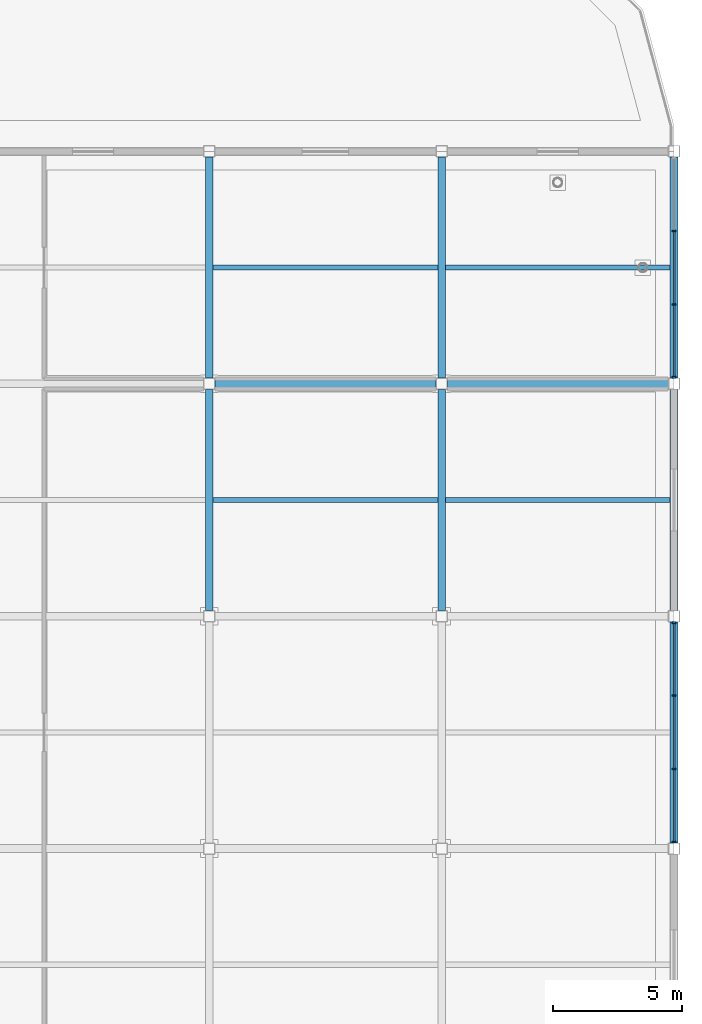
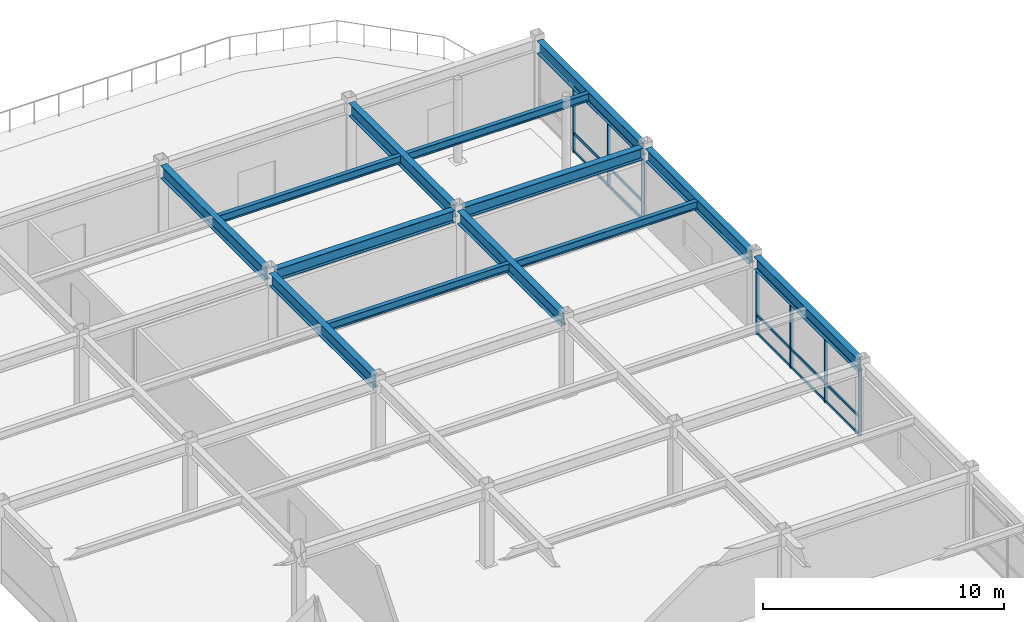
# One storey, part 60 of 108: 22 members, 13 beams, 2 elements without a shape of their own.
"""IFC4 building model written with IfcOpenShell, lengths in metres."""

from ifc_helpers import new_model, si_unit, direction, frame, origin, origin_2d, place, context, subcontext, project, spatial, rectangle, i_section, extrude, material, material_profile, profile_set, type_object, element, aggregate, save


model = new_model("IFC4")

# Units and contexts
model_context = context("Model", 3, precision=1e-05, world=origin(), true_north=direction((0.0, 1.0)))
body_context = subcontext(model_context, "Body", "Model", "MODEL_VIEW")
ifc_project = project(units=[si_unit("LENGTHUNIT", "METRE"), si_unit("AREAUNIT", "SQUARE_METRE"), si_unit("VOLUMEUNIT", "CUBIC_METRE"), si_unit("PLANEANGLEUNIT", "RADIAN"), si_unit("MASSUNIT", "GRAM", prefix="KILO")], contexts=[model_context])

# Site, building, storey
site_placement = place(None, origin())
site = spatial("IfcSite", under=ifc_project, at=site_placement, CompositionType="ELEMENT")
building_placement = place(site_placement, origin())
building = spatial("IfcBuilding", under=site, at=building_placement, Name="Suzunagisa Mobility Hub", CompositionType="ELEMENT")
storey_placement = place(building_placement, frame((0.0, 0.0, 9.300048828125)))
storey = spatial("IfcBuildingStorey", under=building, at=storey_placement, Name="L02", CompositionType="ELEMENT", Elevation=9.300048828125)

# Curtain wall, members
ifc_material_1 = material(Name="Thermally Broken Anodized Aluminum and Low-E Glazing", Category="aluminium")
curtain_wall_type = type_object("IfcCurtainWallType", Name="Unitised Curtain Wall CW-43 8500x3300", PredefinedType="USERDEFINED", material=ifc_material_1)
curtain_wall_1_placement = place(storey_placement, origin())
curtain_wall_1 = element("IfcCurtainWall", 1, at=curtain_wall_1_placement, inside=storey, type_object=curtain_wall_type, Name="L02 Unitised Curtain Wall CW-199", ObjectType="UNITISED CURTAIN WALL", PredefinedType="USERDEFINED")
ifc_material_2 = material(Name="Anodized Aluminum 6063-T6", Category="aluminium")
ifc_material_profile_1 = material_profile(ifc_material_2, rectangle(XDim=0.06494140625, YDim=0.139892578125, at=origin_2d()), Name="TRAN-65x140")
ifc_profile_set_1 = profile_set([ifc_material_profile_1], Name="Anodized Aluminum 6063-T6")
member_type_1 = type_object("IfcMemberType", Name="Curtain Wall Framing CM-01 TRAN-65x140", PredefinedType="USERDEFINED", material=ifc_profile_set_1)
member_1_placement = place(storey_placement, frame((180.0, 71.282958984375, 0.032470703125), z_axis=(0.0, 1.0, 0.0), x_axis=(-1.0, 0.0, 0.0)))
member_1 = element("IfcMember", 2, at=member_1_placement, type_object=member_type_1, Name="Curtain Wall Transom 199-T1.1", ObjectType="TRANSOM", PredefinedType="USERDEFINED", context=body_context, shape_type="SweptSolid", body=[
    extrude(rectangle(XDim=0.06494140625, YDim=0.139892578125, at=origin_2d()), origin(), (0.0, 0.0, 1.0), 2.76416015625),
])
member_2_placement = place(storey_placement, frame((180.0, 71.282958984375, 0.949951171875), z_axis=(0.0, 1.0, 0.0), x_axis=(-1.0, 0.0, 0.0)))
member_2 = element("IfcMember", 3, at=member_2_placement, type_object=member_type_1, Name="Curtain Wall Transom 199-T1.2", ObjectType="TRANSOM", PredefinedType="USERDEFINED", context=body_context, shape_type="SweptSolid", body=[
    extrude(rectangle(XDim=0.06494140625, YDim=0.139892578125, at=origin_2d()), origin(), (0.0, 0.0, 1.0), 2.76416015625),
])
member_3_placement = place(storey_placement, frame((180.0, 71.282958984375, 3.267333984375), z_axis=(0.0, 1.0, 0.0), x_axis=(-1.0, 0.0, 0.0)))
member_3 = element("IfcMember", 4, at=member_3_placement, type_object=member_type_1, Name="Curtain Wall Transom 199-T1.3", ObjectType="TRANSOM", PredefinedType="USERDEFINED", context=body_context, shape_type="SweptSolid", body=[
    extrude(rectangle(XDim=0.06494140625, YDim=0.139892578125, at=origin_2d()), origin(), (0.0, 0.0, 1.0), 2.76416015625),
])
member_4_placement = place(storey_placement, frame((180.0, 74.10302734375, 0.032470703125), z_axis=(0.0, 1.0, 0.0), x_axis=(-1.0, 0.0, 0.0)))
member_4 = element("IfcMember", 5, at=member_4_placement, type_object=member_type_1, Name="Curtain Wall Transom 199-T2.1", ObjectType="TRANSOM", PredefinedType="USERDEFINED", context=body_context, shape_type="SweptSolid", body=[
    extrude(rectangle(XDim=0.06494140625, YDim=0.139892578125, at=origin_2d()), origin(), (0.0, 0.0, 1.0), 2.7939453125),
])
member_5_placement = place(storey_placement, frame((180.0, 74.10302734375, 0.949951171875), z_axis=(0.0, 1.0, 0.0), x_axis=(-1.0, 0.0, 0.0)))
member_5 = element("IfcMember", 6, at=member_5_placement, type_object=member_type_1, Name="Curtain Wall Transom 199-T2.2", ObjectType="TRANSOM", PredefinedType="USERDEFINED", context=body_context, shape_type="SweptSolid", body=[
    extrude(rectangle(XDim=0.06494140625, YDim=0.139892578125, at=origin_2d()), origin(), (0.0, 0.0, 1.0), 2.7939453125),
])
member_6_placement = place(storey_placement, frame((180.0, 74.10302734375, 3.267333984375), z_axis=(0.0, 1.0, 0.0), x_axis=(-1.0, 0.0, 0.0)))
member_6 = element("IfcMember", 7, at=member_6_placement, type_object=member_type_1, Name="Curtain Wall Transom 199-T2.3", ObjectType="TRANSOM", PredefinedType="USERDEFINED", context=body_context, shape_type="SweptSolid", body=[
    extrude(rectangle(XDim=0.06494140625, YDim=0.139892578125, at=origin_2d()), origin(), (0.0, 0.0, 1.0), 2.7939453125),
])
member_7_placement = place(storey_placement, frame((180.0, 76.952880859375, 0.032470703125), z_axis=(0.0, 1.0, 0.0), x_axis=(-1.0, 0.0, 0.0)))
member_7 = element("IfcMember", 8, at=member_7_placement, type_object=member_type_1, Name="Curtain Wall Transom 199-T3.1", ObjectType="TRANSOM", PredefinedType="USERDEFINED", context=body_context, shape_type="SweptSolid", body=[
    extrude(rectangle(XDim=0.06494140625, YDim=0.139892578125, at=origin_2d()), origin(), (0.0, 0.0, 1.0), 2.76416015625),
])
member_8_placement = place(storey_placement, frame((180.0, 76.952880859375, 0.949951171875), z_axis=(0.0, 1.0, 0.0), x_axis=(-1.0, 0.0, 0.0)))
member_8 = element("IfcMember", 9, at=member_8_placement, type_object=member_type_1, Name="Curtain Wall Transom 199-T3.2", ObjectType="TRANSOM", PredefinedType="USERDEFINED", context=body_context, shape_type="SweptSolid", body=[
    extrude(rectangle(XDim=0.06494140625, YDim=0.139892578125, at=origin_2d()), origin(), (0.0, 0.0, 1.0), 2.76416015625),
])
member_9_placement = place(storey_placement, frame((180.0, 76.952880859375, 3.267333984375), z_axis=(0.0, 1.0, 0.0), x_axis=(-1.0, 0.0, 0.0)))
member_9 = element("IfcMember", 10, at=member_9_placement, type_object=member_type_1, Name="Curtain Wall Transom 199-T3.3", ObjectType="TRANSOM", PredefinedType="USERDEFINED", context=body_context, shape_type="SweptSolid", body=[
    extrude(rectangle(XDim=0.06494140625, YDim=0.139892578125, at=origin_2d()), origin(), (0.0, 0.0, 1.0), 2.76416015625),
])

curtain_wall_2_placement = place(storey_placement, origin())
curtain_wall_2 = element("IfcCurtainWall", 11, at=curtain_wall_2_placement, inside=storey, type_object=curtain_wall_type, Name="L02 Unitised Curtain Wall CW-200", ObjectType="UNITISED CURTAIN WALL", PredefinedType="USERDEFINED")
member_10_placement = place(storey_placement, frame((180.0, 89.282958984375, 0.032470703125), z_axis=(0.0, 1.0, 0.0), x_axis=(-1.0, 0.0, 0.0)))
member_10 = element("IfcMember", 12, at=member_10_placement, type_object=member_type_1, Name="Curtain Wall Transom 200-T1.1", ObjectType="TRANSOM", PredefinedType="USERDEFINED", context=body_context, shape_type="SweptSolid", body=[
    extrude(rectangle(XDim=0.06494140625, YDim=0.139892578125, at=origin_2d()), origin(), (0.0, 0.0, 1.0), 2.76416015625),
])
member_11_placement = place(storey_placement, frame((180.0, 89.282958984375, 0.949951171875), z_axis=(0.0, 1.0, 0.0), x_axis=(-1.0, 0.0, 0.0)))
member_11 = element("IfcMember", 13, at=member_11_placement, type_object=member_type_1, Name="Curtain Wall Transom 200-T1.2", ObjectType="TRANSOM", PredefinedType="USERDEFINED", context=body_context, shape_type="SweptSolid", body=[
    extrude(rectangle(XDim=0.06494140625, YDim=0.139892578125, at=origin_2d()), origin(), (0.0, 0.0, 1.0), 2.76416015625),
])
member_12_placement = place(storey_placement, frame((180.0, 89.282958984375, 3.267333984375), z_axis=(0.0, 1.0, 0.0), x_axis=(-1.0, 0.0, 0.0)))
member_12 = element("IfcMember", 14, at=member_12_placement, type_object=member_type_1, Name="Curtain Wall Transom 200-T1.3", ObjectType="TRANSOM", PredefinedType="USERDEFINED", context=body_context, shape_type="SweptSolid", body=[
    extrude(rectangle(XDim=0.06494140625, YDim=0.139892578125, at=origin_2d()), origin(), (0.0, 0.0, 1.0), 2.76416015625),
])
member_13_placement = place(storey_placement, frame((180.0, 92.10302734375, 0.032470703125), z_axis=(0.0, 1.0, 0.0), x_axis=(-1.0, 0.0, 0.0)))
member_13 = element("IfcMember", 15, at=member_13_placement, type_object=member_type_1, Name="Curtain Wall Transom 200-T2.1", ObjectType="TRANSOM", PredefinedType="USERDEFINED", context=body_context, shape_type="SweptSolid", body=[
    extrude(rectangle(XDim=0.06494140625, YDim=0.139892578125, at=origin_2d()), origin(), (0.0, 0.0, 1.0), 2.7939453125),
])
member_14_placement = place(storey_placement, frame((180.0, 92.10302734375, 0.949951171875), z_axis=(0.0, 1.0, 0.0), x_axis=(-1.0, 0.0, 0.0)))
member_14 = element("IfcMember", 16, at=member_14_placement, type_object=member_type_1, Name="Curtain Wall Transom 200-T2.2", ObjectType="TRANSOM", PredefinedType="USERDEFINED", context=body_context, shape_type="SweptSolid", body=[
    extrude(rectangle(XDim=0.06494140625, YDim=0.139892578125, at=origin_2d()), origin(), (0.0, 0.0, 1.0), 2.7939453125),
])
member_15_placement = place(storey_placement, frame((180.0, 92.10302734375, 3.267333984375), z_axis=(0.0, 1.0, 0.0), x_axis=(-1.0, 0.0, 0.0)))
member_15 = element("IfcMember", 17, at=member_15_placement, type_object=member_type_1, Name="Curtain Wall Transom 200-T2.3", ObjectType="TRANSOM", PredefinedType="USERDEFINED", context=body_context, shape_type="SweptSolid", body=[
    extrude(rectangle(XDim=0.06494140625, YDim=0.139892578125, at=origin_2d()), origin(), (0.0, 0.0, 1.0), 2.7939453125),
])

# Member
ifc_material_profile_2 = material_profile(ifc_material_2, rectangle(XDim=0.06005859375, YDim=0.14990234375, at=origin_2d()), Name="MULL-60x150")
ifc_profile_set_2 = profile_set([ifc_material_profile_2], Name="Anodized Aluminum 6063-T6")
member_type_2 = type_object("IfcMemberType", Name="Curtain Wall Framing CM-03 MULL-60x150", PredefinedType="MULLION", material=ifc_profile_set_2)
member_16_placement = place(storey_placement, frame((180.0, 71.2548828125, 0.0), z_axis=(0.0, 0.0, 1.0), x_axis=(0.0, 1.0, 0.0)))
member_16 = element("IfcMember", 18, at=member_16_placement, type_object=member_type_2, Name="Curtain Wall Mullion 199-M1", PredefinedType="MULLION", context=body_context, shape_type="SweptSolid", body=[
    extrude(rectangle(XDim=0.06005859375, YDim=0.14990234375, at=origin_2d()), origin(), (0.0, 0.0, 1.0), 3.300048828125),
])

member_17_placement = place(storey_placement, frame((180.0, 74.074951171875, 0.0), z_axis=(0.0, 0.0, 1.0), x_axis=(0.0, 1.0, 0.0)))
member_17 = element("IfcMember", 19, at=member_17_placement, type_object=member_type_2, Name="Curtain Wall Mullion 199-M2", PredefinedType="MULLION", context=body_context, shape_type="SweptSolid", body=[
    extrude(rectangle(XDim=0.06005859375, YDim=0.14990234375, at=origin_2d()), origin(), (0.0, 0.0, 1.0), 3.300048828125),
])

member_18_placement = place(storey_placement, frame((180.0, 76.925048828125, 0.0), z_axis=(0.0, 0.0, 1.0), x_axis=(0.0, 1.0, 0.0)))
member_18 = element("IfcMember", 20, at=member_18_placement, type_object=member_type_2, Name="Curtain Wall Mullion 199-M3", PredefinedType="MULLION", context=body_context, shape_type="SweptSolid", body=[
    extrude(rectangle(XDim=0.06005859375, YDim=0.14990234375, at=origin_2d()), origin(), (0.0, 0.0, 1.0), 3.300048828125),
])

member_19_placement = place(storey_placement, frame((180.0, 79.7451171875, 0.0), z_axis=(0.0, 0.0, 1.0), x_axis=(0.0, 1.0, 0.0)))
member_19 = element("IfcMember", 21, at=member_19_placement, type_object=member_type_2, Name="Curtain Wall Mullion 199-M4", PredefinedType="MULLION", context=body_context, shape_type="SweptSolid", body=[
    extrude(rectangle(XDim=0.06005859375, YDim=0.14990234375, at=origin_2d()), origin(), (0.0, 0.0, 1.0), 3.300048828125),
])

aggregate(curtain_wall_1, [member_16, member_17, member_18, member_19, member_1, member_2, member_3, member_4, member_5, member_6, member_7, member_8, member_9])

member_20_placement = place(storey_placement, frame((180.0, 89.2548828125, 0.0), z_axis=(0.0, 0.0, 1.0), x_axis=(0.0, 1.0, 0.0)))
member_20 = element("IfcMember", 22, at=member_20_placement, type_object=member_type_2, Name="Curtain Wall Mullion 200-M1", PredefinedType="MULLION", context=body_context, shape_type="SweptSolid", body=[
    extrude(rectangle(XDim=0.06005859375, YDim=0.14990234375, at=origin_2d()), origin(), (0.0, 0.0, 1.0), 3.300048828125),
])

member_21_placement = place(storey_placement, frame((180.0, 92.074951171875, 0.0), z_axis=(0.0, 0.0, 1.0), x_axis=(0.0, 1.0, 0.0)))
member_21 = element("IfcMember", 23, at=member_21_placement, type_object=member_type_2, Name="Curtain Wall Mullion 200-M2", PredefinedType="MULLION", context=body_context, shape_type="SweptSolid", body=[
    extrude(rectangle(XDim=0.06005859375, YDim=0.14990234375, at=origin_2d()), origin(), (0.0, 0.0, 1.0), 3.300048828125),
])

member_22_placement = place(storey_placement, frame((180.0, 94.925048828125, 0.0), z_axis=(0.0, 0.0, 1.0), x_axis=(0.0, 1.0, 0.0)))
member_22 = element("IfcMember", 24, at=member_22_placement, type_object=member_type_2, Name="Curtain Wall Mullion 200-M3", PredefinedType="MULLION", context=body_context, shape_type="SweptSolid", body=[
    extrude(rectangle(XDim=0.06005859375, YDim=0.14990234375, at=origin_2d()), origin(), (0.0, 0.0, 1.0), 3.300048828125),
])

aggregate(curtain_wall_2, [member_20, member_21, member_22, member_10, member_11, member_12, member_13, member_14, member_15])

# Beams
ifc_material_3 = material(Name="Steel SN490B", Category="steel")
ifc_material_profile_3 = material_profile(ifc_material_3, i_section(OverallWidth=0.300048828125, OverallDepth=0.64990234375, WebThickness=0.012939453125, FlangeThickness=0.02197265625, FilletRadius=0.01611328125, at=origin_2d()), Name="H-650x300x13x22")
ifc_profile_set_3 = profile_set([ifc_material_profile_3], Name="Steel SN490B")
beam_type_1 = type_object("IfcBeamType", Name="Steel Beam BM-10 H-650x300x13x22", PredefinedType="BEAM", material=ifc_profile_set_3)
for number, where, z_axis, x_axis, name in (
    (25, (162.0, 80.220947265625, 3.625), (0.0, 1.0, 0.0), (-1.0, 0.0, 0.0), "L02 Primary Girder GY-1928"),
    (26, (162.0, 89.220947265625, 3.625), (0.0, 1.0, 0.0), (-1.0, 0.0, 0.0), "L02 Primary Girder GY-1929"),
    (27, (171.0, 80.220947265625, 3.625), (0.0, 1.0, 0.0), (-1.0, 0.0, 0.0), "L02 Primary Girder GY-1934"),
    (28, (171.0, 89.220947265625, 3.625), (0.0, 1.0, 0.0), (-1.0, 0.0, 0.0), "L02 Primary Girder GY-1935"),
    (29, (180.0, 71.220947265625, 3.625), (0.0, 1.0, 0.0), (-1.0, 0.0, 0.0), "L02 Primary Girder GY-1939"),
    (30, (180.0, 80.220947265625, 3.625), (0.0, 1.0, 0.0), (-1.0, 0.0, 0.0), "L02 Primary Girder GY-1940"),
    (31, (180.0, 89.220947265625, 3.625), (0.0, 1.0, 0.0), (-1.0, 0.0, 0.0), "L02 Primary Girder GY-1941"),
):
    element("IfcBeam", number, at=place(storey_placement, frame(where, z_axis=z_axis, x_axis=x_axis)), inside=storey, type_object=beam_type_1, Name=name, PredefinedType="BEAM", context=body_context, shape_type="SweptSolid", body=[
        extrude(i_section(OverallWidth=0.300048828125, OverallDepth=0.64990234375, WebThickness=0.012939453125, FlangeThickness=0.02197265625, FilletRadius=0.01611328125, at=origin_2d()), origin(), (0.0, 0.0, 1.0), 8.55810546875),
    ])
ifc_material_4 = material(Name="Steel SN400B", Category="steel")
ifc_material_profile_4 = material_profile(ifc_material_4, i_section(OverallWidth=0.199951171875, OverallDepth=0.39990234375, WebThickness=0.008056640625, FlangeThickness=0.012939453125, FilletRadius=0.012939453125, at=origin_2d()), Name="H-400x200x8x13")
ifc_profile_set_4 = profile_set([ifc_material_profile_4], Name="Steel SN400B")
beam_type_2 = type_object("IfcBeamType", Name="Steel Beam BM-14 H-400x200x8x13", PredefinedType="JOIST", material=ifc_profile_set_4)
for number, where, z_axis, x_axis, name in (
    (32, (162.14990234375, 84.5, 3.75), (1.0, 0.0, 0.0), (0.0, 1.0, 0.0), "L02 Composite Floor Joist J-1954"),
    (33, (162.14990234375, 93.5, 3.75), (1.0, 0.0, 0.0), (0.0, 1.0, 0.0), "L02 Composite Floor Joist J-1955"),
    (34, (171.14990234375, 84.5, 3.75), (1.0, 0.0, 0.0), (0.0, 1.0, 0.0), "L02 Composite Floor Joist J-1960"),
    (35, (171.14990234375, 93.5, 3.75), (1.0, 0.0, 0.0), (0.0, 1.0, 0.0), "L02 Composite Floor Joist J-1961"),
):
    element("IfcBeam", number, at=place(storey_placement, frame(where, z_axis=z_axis, x_axis=x_axis)), inside=storey, type_object=beam_type_2, Name=name, PredefinedType="JOIST", context=body_context, shape_type="SweptSolid", body=[
        extrude(i_section(OverallWidth=0.199951171875, OverallDepth=0.39990234375, WebThickness=0.008056640625, FlangeThickness=0.012939453125, FilletRadius=0.012939453125, at=origin_2d()), origin(), (0.0, 0.0, 1.0), 8.7001953125),
    ])
ifc_material_profile_5 = material_profile(ifc_material_3, i_section(OverallWidth=0.300048828125, OverallDepth=0.587890625, WebThickness=0.011962890625, FlangeThickness=0.02001953125, FilletRadius=0.012939453125, at=origin_2d()), Name="H-588x300x12x20")
ifc_profile_set_5 = profile_set([ifc_material_profile_5], Name="Steel SN490B")
beam_type_3 = type_object("IfcBeamType", Name="Steel Beam BM-16 H-588x300x12x20", PredefinedType="BEAM", material=ifc_profile_set_5)
for number, where, z_axis, x_axis, name in (
    (36, (162.220947265625, 89.0, 3.656005859375), (1.0, 0.0, 0.0), (0.0, 1.0, 0.0), "L02 Primary Girder GX-1906"),
    (37, (171.220947265625, 89.0, 3.656005859375), (1.0, 0.0, 0.0), (0.0, 1.0, 0.0), "L02 Primary Girder GX-1907"),
):
    element("IfcBeam", number, at=place(storey_placement, frame(where, z_axis=z_axis, x_axis=x_axis)), inside=storey, type_object=beam_type_3, Name=name, PredefinedType="BEAM", context=body_context, shape_type="SweptSolid", body=[
        extrude(i_section(OverallWidth=0.300048828125, OverallDepth=0.587890625, WebThickness=0.011962890625, FlangeThickness=0.02001953125, FilletRadius=0.012939453125, at=origin_2d()), origin(), (0.0, 0.0, 1.0), 8.55810546875),
    ])

save(model, "model.ifc")
